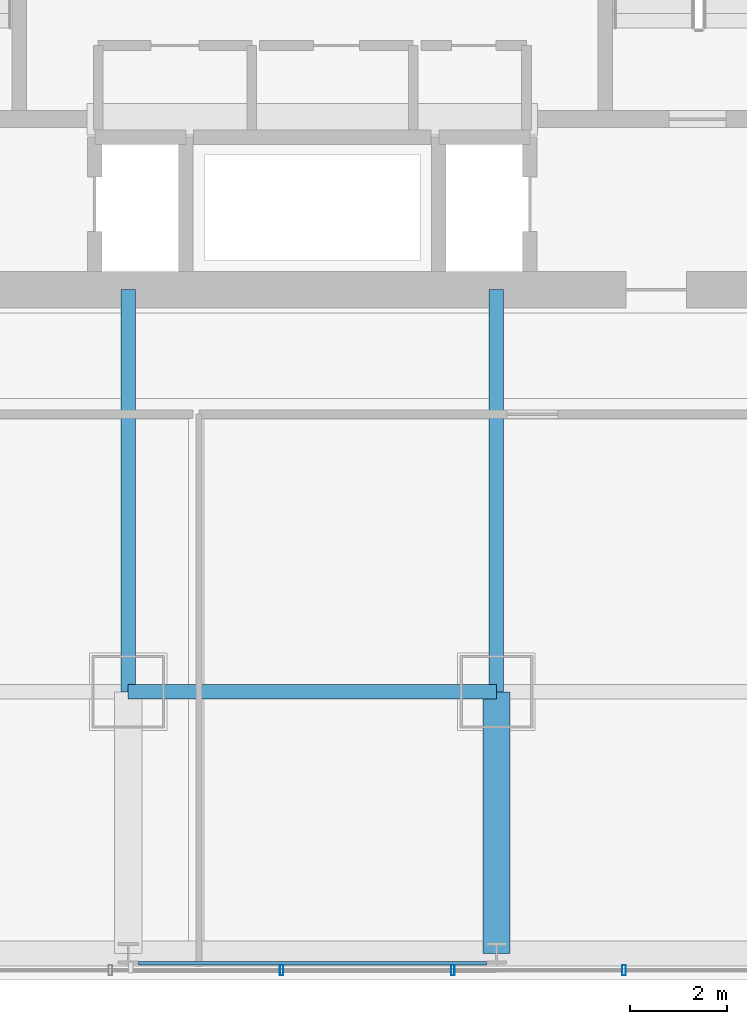
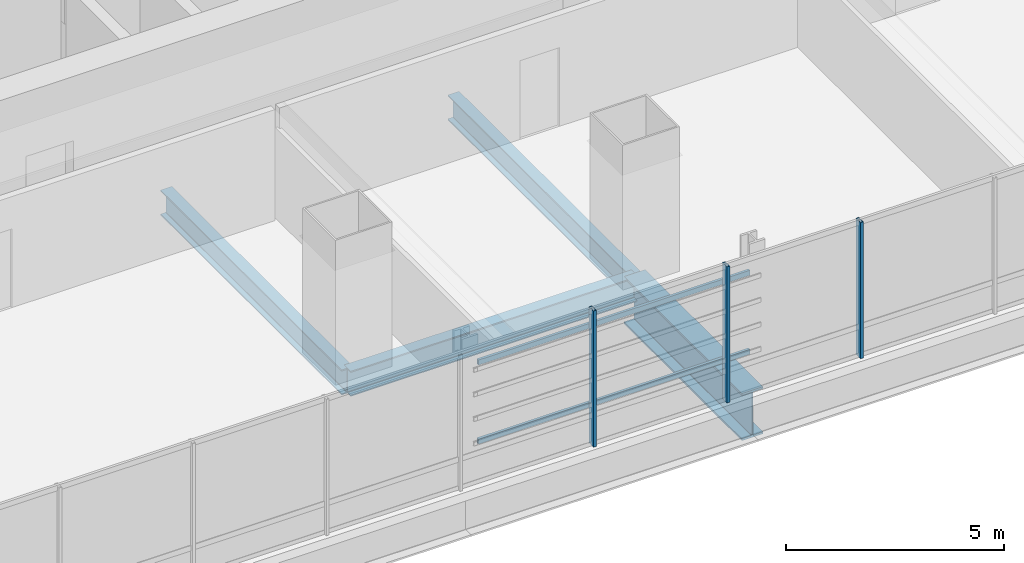
# One storey, part 8 of 36: 5 members, 4 beams, 1 element without a shape of its own.
"""IFC4 building model written with IfcOpenShell, lengths in metres."""

from ifc_helpers import new_model, si_unit, direction, frame, origin, origin_2d, place, context, subcontext, project, spatial, hollow_rectangle, i_section, extrude, material, material_profile, profile_set, type_object, element, aggregate, save


model = new_model("IFC4")

# Units and contexts
model_context = context("Model", 3, precision=1e-05, world=origin(), true_north=direction((0.0, 1.0)))
body_context = subcontext(model_context, "Body", "Model", "MODEL_VIEW")
ifc_project = project(units=[si_unit("LENGTHUNIT", "METRE"), si_unit("AREAUNIT", "SQUARE_METRE"), si_unit("VOLUMEUNIT", "CUBIC_METRE"), si_unit("PLANEANGLEUNIT", "RADIAN"), si_unit("MASSUNIT", "GRAM", prefix="KILO")], contexts=[model_context])

# Site, building, storey
site_placement = place(None, origin())
site = spatial("IfcSite", under=ifc_project, at=site_placement, CompositionType="ELEMENT")
building_placement = place(site_placement, origin())
building = spatial("IfcBuilding", under=site, at=building_placement, Name="Punatoya Terracotta Tower", CompositionType="ELEMENT")
storey_placement = place(building_placement, frame((0.0, 0.0, 32.25)))
storey = spatial("IfcBuildingStorey", under=building, at=storey_placement, Name="L06", CompositionType="ELEMENT", Elevation=32.25)

# Beams
ifc_material_1 = material(Name="Steel S355", Category="steel")
ifc_material_profile_1 = material_profile(ifc_material_1, i_section(OverallWidth=0.300048828125, OverallDepth=0.699951171875, WebThickness=0.01708984375, FlangeThickness=0.031982421875, FilletRadius=0.01806640625, at=origin_2d()))
ifc_profile_set_1 = profile_set([ifc_material_profile_1], Name="Steel S355")
beam_type_1 = type_object("IfcBeamType", Name="BM-PRI-700", PredefinedType="BEAM", material=ifc_profile_set_1)
beam_1_placement = place(storey_placement, frame((-3.800048828125, -17.5, -0.590087890625), z_axis=(1.0, 0.0, 0.0), x_axis=(0.0, 1.0, 0.0)))
element("IfcBeam", 1, at=beam_1_placement, inside=storey, type_object=beam_type_1, Name="BM-L06-RG-S2", PredefinedType="BEAM", context=body_context, shape_type="SweptSolid", body=[
    extrude(i_section(OverallWidth=0.300048828125, OverallDepth=0.699951171875, WebThickness=0.01708984375, FlangeThickness=0.031982421875, FilletRadius=0.01806640625, at=origin_2d()), origin(), (0.0, 0.0, 1.0), 7.60009765625),
])
for number, where, z_axis, x_axis, name in (
    (2, (-3.800048828125, -17.5, -0.590087890625), (0.0, 1.0, 0.0), (-1.0, 0.0, 0.0), "BM-L06-PR-S2"),
    (3, (3.800048828125, -17.5, -0.590087890625), (0.0, 1.0, 0.0), (-1.0, 0.0, 0.0), "BM-L06-PR-S3"),
):
    element("IfcBeam", number, at=place(storey_placement, frame(where, z_axis=z_axis, x_axis=x_axis)), inside=storey, type_object=beam_type_1, Name=name, PredefinedType="BEAM", context=body_context, shape_type="SweptSolid", body=[
        extrude(i_section(OverallWidth=0.300048828125, OverallDepth=0.699951171875, WebThickness=0.01708984375, FlangeThickness=0.031982421875, FilletRadius=0.01806640625, at=origin_2d()), origin(), (0.0, 0.0, 1.0), 8.300048828125),
    ])
ifc_material_2 = material(Name="Steel S460", Category="steel")
ifc_material_profile_2 = material_profile(ifc_material_2, i_section(OverallWidth=0.56005859375, OverallDepth=1.320068359375, WebThickness=0.035888671875, FlangeThickness=0.054931640625, FilletRadius=0.01806640625, at=origin_2d()))
ifc_profile_set_2 = profile_set([ifc_material_profile_2], Name="Steel S460")
beam_type_2 = type_object("IfcBeamType", Name="BM-TG-BLK", PredefinedType="BEAM", material=ifc_profile_set_2)
beam_2_placement = place(storey_placement, frame((3.800048828125, -22.89990234375, -0.89990234375), z_axis=(0.0, 1.0, 0.0), x_axis=(-1.0, 0.0, 0.0)))
element("IfcBeam", 4, at=beam_2_placement, inside=storey, type_object=beam_type_2, Name="BM-L06-CANT-S3", PredefinedType="BEAM", context=body_context, shape_type="SweptSolid", body=[
    extrude(i_section(OverallWidth=0.56005859375, OverallDepth=1.320068359375, WebThickness=0.035888671875, FlangeThickness=0.054931640625, FilletRadius=0.01806640625, at=origin_2d()), origin(), (0.0, 0.0, 1.0), 5.39990234375),
])

# Curtain wall, members
ifc_material_3 = material(Name="Aluminium 6063-T6 + Double Low-E Glass", Category="aluminium")
curtain_wall_type = type_object("IfcCurtainWallType", Name="CW-M1", PredefinedType="NOTDEFINED", material=ifc_material_3)
curtain_wall_placement = place(storey_placement, origin())
curtain_wall = element("IfcCurtainWall", 5, at=curtain_wall_placement, inside=storey, type_object=curtain_wall_type, Name="L06 Curtain Wall CW-L06-S01-1", PredefinedType="NOTDEFINED")
ifc_material_4 = material(Name="Aluminium 6063-T6", Category="aluminium")
ifc_material_profile_3 = material_profile(ifc_material_4, hollow_rectangle(XDim=0.074951171875, YDim=0.2099609375, WallThickness=0.00439453125, at=origin_2d()))
ifc_profile_set_3 = profile_set([ifc_material_profile_3], Name="Aluminium 6063-T6")
member_type_1 = type_object("IfcMemberType", Name="CW-MUL-M1", PredefinedType="MULLION", material=ifc_profile_set_3)
member_1_placement = place(storey_placement, frame((-0.633056640625, -23.25, 0.0), z_axis=(0.0, 0.0, 1.0), x_axis=(1.0, 0.0, 0.0)))
member_1 = element("IfcMember", 6, at=member_1_placement, type_object=member_type_1, Name="CW-L06-S01-1 Mullion 06", PredefinedType="MULLION", context=body_context, shape_type="SweptSolid", body=[
    extrude(hollow_rectangle(XDim=0.074951171875, YDim=0.2099609375, WallThickness=0.00439453125, at=origin_2d()), origin(), (0.0, 0.0, 1.0), 3.81005859375),
])
member_2_placement = place(storey_placement, frame((2.90087890625, -23.25, 0.0), z_axis=(0.0, 0.0, 1.0), x_axis=(1.0, 0.0, 0.0)))
member_2 = element("IfcMember", 7, at=member_2_placement, type_object=member_type_1, Name="CW-L06-S01-1 Mullion 07", PredefinedType="MULLION", context=body_context, shape_type="SweptSolid", body=[
    extrude(hollow_rectangle(XDim=0.074951171875, YDim=0.2099609375, WallThickness=0.00439453125, at=origin_2d()), origin(), (0.0, 0.0, 1.0), 3.81005859375),
])
member_3_placement = place(storey_placement, frame((6.43505859375, -23.25, 0.0), z_axis=(0.0, 0.0, 1.0), x_axis=(1.0, 0.0, 0.0)))
member_3 = element("IfcMember", 8, at=member_3_placement, type_object=member_type_1, Name="CW-L06-S01-1 Mullion 08", PredefinedType="MULLION", context=body_context, shape_type="SweptSolid", body=[
    extrude(hollow_rectangle(XDim=0.074951171875, YDim=0.2099609375, WallThickness=0.00439453125, at=origin_2d()), origin(), (0.0, 0.0, 1.0), 3.81005859375),
])
aggregate(curtain_wall, [member_1, member_2, member_3])

# Members
ifc_material_profile_4 = material_profile(ifc_material_1, hollow_rectangle(XDim=0.070068359375, YDim=0.139892578125, WallThickness=0.006103515625, at=origin_2d()))
ifc_profile_set_4 = profile_set([ifc_material_profile_4], Name="Steel S355")
member_type_2 = type_object("IfcMemberType", Name="MEM-BAG-RAIL", PredefinedType="USERDEFINED", material=ifc_profile_set_4)
for number, where, z_axis, x_axis, name in (
    (9, (-3.592529296875, -23.10498046875, 1.050048828125), (1.0, 0.0, 0.0), (0.0, 1.0, 0.0), "L06 Terracotta Baguette Carrier Rail BAG-L06-S-R1"),
    (10, (-3.592529296875, -23.10498046875, 3.260009765625), (1.0, 0.0, 0.0), (0.0, 1.0, 0.0), "L06 Terracotta Baguette Carrier Rail BAG-L06-S-R2"),
):
    element("IfcMember", number, at=place(storey_placement, frame(where, z_axis=z_axis, x_axis=x_axis)), inside=storey, type_object=member_type_2, Name=name, ObjectType="BAGUETTE", PredefinedType="USERDEFINED", context=body_context, shape_type="SweptSolid", body=[
        extrude(hollow_rectangle(XDim=0.070068359375, YDim=0.139892578125, WallThickness=0.006103515625, at=origin_2d()), origin(), (0.0, 0.0, 1.0), 7.18505859375),
    ])

save(model, "model.ifc")
